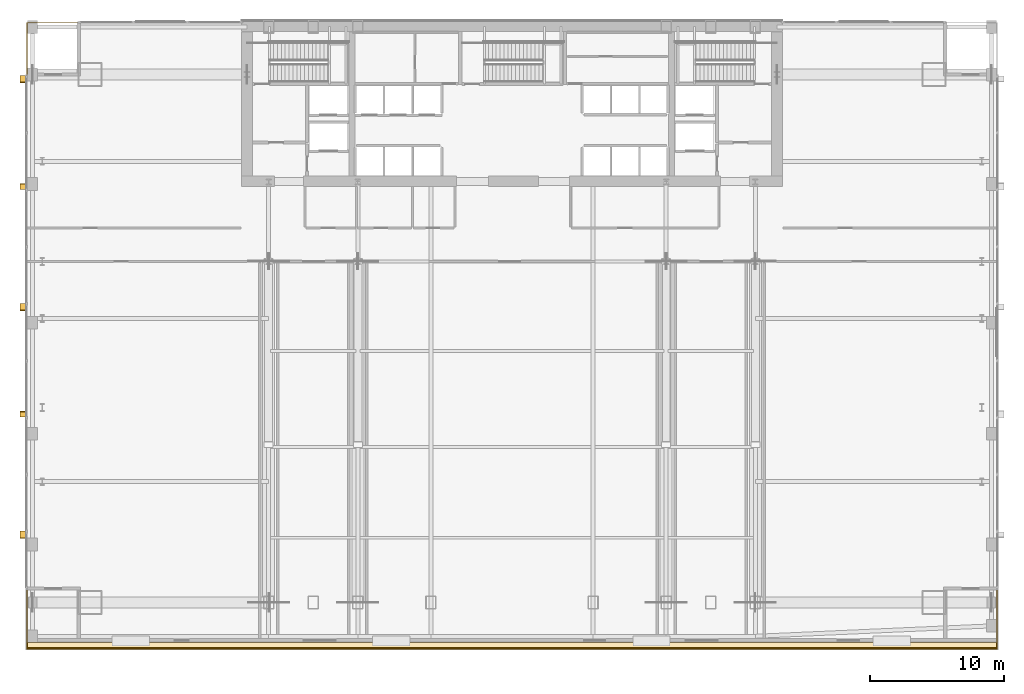
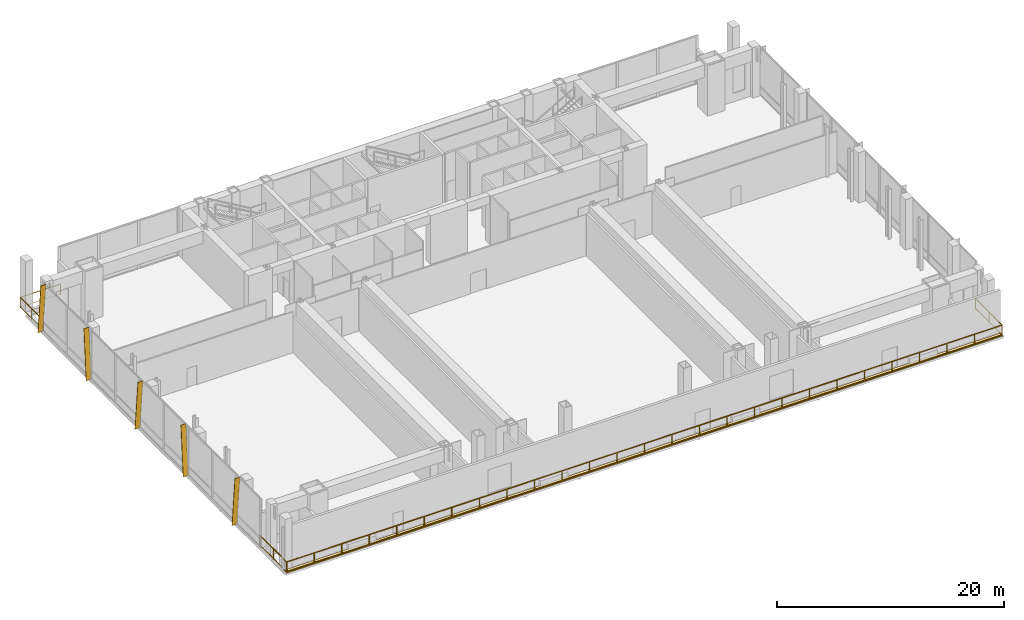
# One storey, part 24 of 26: 5 shading devices, 2 railings, 1 covering.
"""IFC4 building model written with IfcOpenShell, lengths in metres."""

from ifc_helpers import new_model, si_unit, direction, frame, origin, origin_2d, place, context, subcontext, project, spatial, polyline, rectangle, outline, extrude, material, layer, layer_set, type_object, element, save


model = new_model("IFC4")

# Units and contexts
model_context = context("Model", 3, precision=1e-05, world=origin(), true_north=direction((0.0, 1.0)))
body_context = subcontext(model_context, "Body", "Model", "MODEL_VIEW")
ifc_project = project(units=[si_unit("LENGTHUNIT", "METRE"), si_unit("AREAUNIT", "SQUARE_METRE"), si_unit("VOLUMEUNIT", "CUBIC_METRE"), si_unit("PLANEANGLEUNIT", "RADIAN"), si_unit("MASSUNIT", "GRAM", prefix="KILO")], contexts=[model_context])

# Site, building, storey
site_placement = place(None, origin())
site = spatial("IfcSite", under=ifc_project, at=site_placement, CompositionType="ELEMENT")
building_placement = place(site_placement, origin())
building = spatial("IfcBuilding", under=site, at=building_placement, Name="Khoronbel Lancet Exchange", CompositionType="ELEMENT")
storey_placement = place(building_placement, frame((0.0, 0.0, 20.39990234375)))
storey = spatial("IfcBuildingStorey", under=building, at=storey_placement, Name="L04", CompositionType="ELEMENT", Elevation=20.39990234375)

# Covering
ifc_material_1 = material(Name="Standing-Seam Bronze & SBS Waterproofing Assembly", Category="aluminium")
ifc_layer_1 = layer(ifc_material_1, 0.080078125, Name="Standing-Seam Bronze & SBS Waterproofing Assembly")
ifc_layer_set_1 = layer_set([ifc_layer_1], Name="Standing-Seam Bronze & SBS Waterproofing Assembly")
covering_type = type_object("IfcCoveringType", Name="COV-ROOF1", PredefinedType="ROOFING", material=ifc_layer_set_1)
covering_placement = place(storey_placement, frame((0.0, 0.0, -0.079833984375)))
element("IfcCovering", 1, at=covering_placement, inside=storey, type_object=covering_type, Name="Level L04 cascading terrace waterproofing and stone deck", PredefinedType="ROOFING", context=body_context, shape_type="SweptSolid", body=[
    extrude(outline(polyline([(0.10009765625, 6.64990234375), (72.800048828125, 6.64990234375), (72.800048828125, 7.14990234375), (0.10009765625, 7.14990234375), (0.10009765625, 6.64990234375)])), origin(), (0.0, 0.0, 1.0), 0.079833984375),
])

# Railings
ifc_material_2 = material(Name="Bronze-Anodised Stainless Steel", Category="steel")
railing_type = type_object("IfcRailingType", Name="RL-EXT115", PredefinedType="GUARDRAIL", material=ifc_material_2)
railing_1_placement = place(storey_placement, frame((0.1201171875, 11.39990234375, 0.0)))
element("IfcRailing", 2, at=railing_1_placement, inside=storey, type_object=railing_type, Name="Level L04 cascading garden terrace and south corner loggia guardrail", PredefinedType="GUARDRAIL", context=body_context, shape_type="SweptSolid", body=[
    extrude(rectangle(XDim=0.052001953125, YDim=0.052001953125, at=origin_2d()), frame((0.0, 0.0, 1.1240234375), z_axis=(0.0, -1.0, 0.0), x_axis=(1.0, 0.0, 0.0)), (0.0, 0.0, 1.0), 4.679931640625),
    extrude(rectangle(XDim=0.02587890625, YDim=0.02587890625, at=origin_2d()), frame((0.0, 0.0, 0.080078125), z_axis=(0.0, -1.0, 0.0), x_axis=(1.0, 0.0, 0.0)), (0.0, 0.0, 1.0), 4.679931640625),
    extrude(rectangle(XDim=0.052001953125, YDim=0.052001953125, at=origin_2d()), frame((0.0, -4.679931640625, 1.1240234375), z_axis=(1.0, 0.0, 0.0), x_axis=(0.0, 1.0, 0.0)), (0.0, 0.0, 1.0), 72.659912109375),
    extrude(rectangle(XDim=0.02587890625, YDim=0.02587890625, at=origin_2d()), frame((0.0, -4.679931640625, 0.080078125), z_axis=(1.0, 0.0, 0.0), x_axis=(0.0, 1.0, 0.0)), (0.0, 0.0, 1.0), 72.659912109375),
    extrude(rectangle(XDim=0.052001953125, YDim=0.052001953125, at=origin_2d()), frame((72.659912109375, -4.679931640625, 1.1240234375), z_axis=(0.0, 1.0, 0.0), x_axis=(-1.0, 0.0, 0.0)), (0.0, 0.0, 1.0), 4.679931640625),
    extrude(rectangle(XDim=0.02587890625, YDim=0.02587890625, at=origin_2d()), frame((72.659912109375, -4.679931640625, 0.080078125), z_axis=(0.0, 1.0, 0.0), x_axis=(-1.0, 0.0, 0.0)), (0.0, 0.0, 1.0), 4.679931640625),
    extrude(rectangle(XDim=0.0419921875, YDim=0.0419921875, at=origin_2d()), origin(), (0.0, 0.0, 1.0), 1.097900390625),
    extrude(rectangle(XDim=0.0419921875, YDim=0.0419921875, at=origin_2d()), frame((0.0, -2.33984375, 0.0)), (0.0, 0.0, 1.0), 1.097900390625),
    extrude(rectangle(XDim=0.0419921875, YDim=0.0419921875, at=origin_2d()), frame((0.0, -4.679931640625, 0.0)), (0.0, 0.0, 1.0), 1.097900390625),
    extrude(rectangle(XDim=0.0419921875, YDim=0.0419921875, at=origin_2d()), frame((2.794677734375, -4.679931640625, 0.0)), (0.0, 0.0, 1.0), 1.097900390625),
    extrude(rectangle(XDim=0.0419921875, YDim=0.0419921875, at=origin_2d()), frame((5.589111328125, -4.679931640625, 0.0)), (0.0, 0.0, 1.0), 1.097900390625),
    extrude(rectangle(XDim=0.0419921875, YDim=0.0419921875, at=origin_2d()), frame((8.3837890625, -4.679931640625, 0.0)), (0.0, 0.0, 1.0), 1.097900390625),
    extrude(rectangle(XDim=0.0419921875, YDim=0.0419921875, at=origin_2d()), frame((11.178466796875, -4.679931640625, 0.0)), (0.0, 0.0, 1.0), 1.097900390625),
    extrude(rectangle(XDim=0.0419921875, YDim=0.0419921875, at=origin_2d()), frame((13.97314453125, -4.679931640625, 0.0)), (0.0, 0.0, 1.0), 1.097900390625),
    extrude(rectangle(XDim=0.0419921875, YDim=0.0419921875, at=origin_2d()), frame((16.767578125, -4.679931640625, 0.0)), (0.0, 0.0, 1.0), 1.097900390625),
    extrude(rectangle(XDim=0.0419921875, YDim=0.0419921875, at=origin_2d()), frame((19.562255859375, -4.679931640625, 0.0)), (0.0, 0.0, 1.0), 1.097900390625),
    extrude(rectangle(XDim=0.0419921875, YDim=0.0419921875, at=origin_2d()), frame((22.35693359375, -4.679931640625, 0.0)), (0.0, 0.0, 1.0), 1.097900390625),
    extrude(rectangle(XDim=0.0419921875, YDim=0.0419921875, at=origin_2d()), frame((25.151611328125, -4.679931640625, 0.0)), (0.0, 0.0, 1.0), 1.097900390625),
    extrude(rectangle(XDim=0.0419921875, YDim=0.0419921875, at=origin_2d()), frame((27.946044921875, -4.679931640625, 0.0)), (0.0, 0.0, 1.0), 1.097900390625),
    extrude(rectangle(XDim=0.0419921875, YDim=0.0419921875, at=origin_2d()), frame((30.74072265625, -4.679931640625, 0.0)), (0.0, 0.0, 1.0), 1.097900390625),
    extrude(rectangle(XDim=0.0419921875, YDim=0.0419921875, at=origin_2d()), frame((33.535400390625, -4.679931640625, 0.0)), (0.0, 0.0, 1.0), 1.097900390625),
    extrude(rectangle(XDim=0.0419921875, YDim=0.0419921875, at=origin_2d()), frame((36.330078125, -4.679931640625, 0.0)), (0.0, 0.0, 1.0), 1.097900390625),
    extrude(rectangle(XDim=0.0419921875, YDim=0.0419921875, at=origin_2d()), frame((39.12451171875, -4.679931640625, 0.0)), (0.0, 0.0, 1.0), 1.097900390625),
    extrude(rectangle(XDim=0.0419921875, YDim=0.0419921875, at=origin_2d()), frame((41.919189453125, -4.679931640625, 0.0)), (0.0, 0.0, 1.0), 1.097900390625),
    extrude(rectangle(XDim=0.0419921875, YDim=0.0419921875, at=origin_2d()), frame((44.7138671875, -4.679931640625, 0.0)), (0.0, 0.0, 1.0), 1.097900390625),
    extrude(rectangle(XDim=0.0419921875, YDim=0.0419921875, at=origin_2d()), frame((47.50830078125, -4.679931640625, 0.0)), (0.0, 0.0, 1.0), 1.097900390625),
    extrude(rectangle(XDim=0.0419921875, YDim=0.0419921875, at=origin_2d()), frame((50.302978515625, -4.679931640625, 0.0)), (0.0, 0.0, 1.0), 1.097900390625),
    extrude(rectangle(XDim=0.0419921875, YDim=0.0419921875, at=origin_2d()), frame((53.09765625, -4.679931640625, 0.0)), (0.0, 0.0, 1.0), 1.097900390625),
    extrude(rectangle(XDim=0.0419921875, YDim=0.0419921875, at=origin_2d()), frame((55.892333984375, -4.679931640625, 0.0)), (0.0, 0.0, 1.0), 1.097900390625),
    extrude(rectangle(XDim=0.0419921875, YDim=0.0419921875, at=origin_2d()), frame((58.686767578125, -4.679931640625, 0.0)), (0.0, 0.0, 1.0), 1.097900390625),
    extrude(rectangle(XDim=0.0419921875, YDim=0.0419921875, at=origin_2d()), frame((61.4814453125, -4.679931640625, 0.0)), (0.0, 0.0, 1.0), 1.097900390625),
    extrude(rectangle(XDim=0.0419921875, YDim=0.0419921875, at=origin_2d()), frame((64.276123046875, -4.679931640625, 0.0)), (0.0, 0.0, 1.0), 1.097900390625),
    extrude(rectangle(XDim=0.0419921875, YDim=0.0419921875, at=origin_2d()), frame((67.07080078125, -4.679931640625, 0.0)), (0.0, 0.0, 1.0), 1.097900390625),
    extrude(rectangle(XDim=0.0419921875, YDim=0.0419921875, at=origin_2d()), frame((69.865234375, -4.679931640625, 0.0)), (0.0, 0.0, 1.0), 1.097900390625),
    extrude(rectangle(XDim=0.0419921875, YDim=0.0419921875, at=origin_2d()), frame((72.659912109375, -4.679931640625, 0.0)), (0.0, 0.0, 1.0), 1.097900390625),
    extrude(rectangle(XDim=0.0419921875, YDim=0.0419921875, at=origin_2d()), frame((72.659912109375, -2.33984375, 0.0)), (0.0, 0.0, 1.0), 1.097900390625),
    extrude(rectangle(XDim=0.0419921875, YDim=0.0419921875, at=origin_2d()), frame((72.659912109375, 0.0, 0.0)), (0.0, 0.0, 1.0), 1.097900390625),
])
railing_2_placement = place(storey_placement, frame((0.1201171875, 49.5, 0.0)))
element("IfcRailing", 3, at=railing_2_placement, inside=storey, type_object=railing_type, Name="Level L04 north-west colonnade corner loggia guardrail", PredefinedType="GUARDRAIL", context=body_context, shape_type="SweptSolid", body=[
    extrude(rectangle(XDim=0.052001953125, YDim=0.052001953125, at=origin_2d()), frame((0.0, 0.0, 1.1240234375), z_axis=(0.0, 1.0, 0.0), x_axis=(-1.0, 0.0, 0.0)), (0.0, 0.0, 1.0), 4.080078125),
    extrude(rectangle(XDim=0.02587890625, YDim=0.02587890625, at=origin_2d()), frame((0.0, 0.0, 0.080078125), z_axis=(0.0, 1.0, 0.0), x_axis=(-1.0, 0.0, 0.0)), (0.0, 0.0, 1.0), 4.080078125),
    extrude(rectangle(XDim=0.052001953125, YDim=0.052001953125, at=origin_2d()), frame((0.0, 4.080078125, 1.1240234375), z_axis=(1.0, 0.0, 0.0), x_axis=(0.0, 1.0, 0.0)), (0.0, 0.0, 1.0), 4.079833984375),
    extrude(rectangle(XDim=0.02587890625, YDim=0.02587890625, at=origin_2d()), frame((0.0, 4.080078125, 0.080078125), z_axis=(1.0, 0.0, 0.0), x_axis=(0.0, 1.0, 0.0)), (0.0, 0.0, 1.0), 4.079833984375),
    extrude(rectangle(XDim=0.0419921875, YDim=0.0419921875, at=origin_2d()), origin(), (0.0, 0.0, 1.0), 1.097900390625),
    extrude(rectangle(XDim=0.0419921875, YDim=0.0419921875, at=origin_2d()), frame((0.0, 2.0400390625, 0.0)), (0.0, 0.0, 1.0), 1.097900390625),
    extrude(rectangle(XDim=0.0419921875, YDim=0.0419921875, at=origin_2d()), frame((0.0, 4.080078125, 0.0)), (0.0, 0.0, 1.0), 1.097900390625),
    extrude(rectangle(XDim=0.0419921875, YDim=0.0419921875, at=origin_2d()), frame((2.0400390625, 4.080078125, 0.0)), (0.0, 0.0, 1.0), 1.097900390625),
    extrude(rectangle(XDim=0.0419921875, YDim=0.0419921875, at=origin_2d()), frame((4.079833984375, 4.080078125, 0.0)), (0.0, 0.0, 1.0), 1.097900390625),
])

# Shading devices
ifc_material_3 = material(Name="Bronze-Anodised Aluminium 6063-T6", Category="aluminium")
ifc_layer_2 = layer(ifc_material_3, 0.054931640625, Name="Bronze-Anodised Aluminium 6063-T6")
ifc_layer_set_2 = layer_set([ifc_layer_2], Name="Bronze-Anodised Aluminium 6063-T6")
shading_device_type = type_object("IfcShadingDeviceType", Name="SHD-FIN1", PredefinedType="USERDEFINED", material=ifc_layer_set_2)
shading_device_1_placement = place(storey_placement, frame((0.1201171875, 49.62744140625, -0.079833984375), z_axis=(0.0, 0.995559886336, 0.094130296495), x_axis=(-1.0, 0.0, 0.0)))
element("IfcShadingDevice", 4, at=shading_device_1_placement, inside=storey, type_object=shading_device_type, Name="Slanted bronze solar fin CW-L04-WEST-0", ObjectType="FIN", PredefinedType="USERDEFINED", context=body_context, shape_type="SweptSolid", body=[
    extrude(outline(polyline([(0.0, 0.0), (0.52001953125, 0.0), (0.52001953125, 5.36376953125), (0.0, 5.36376953125), (0.0, 0.0)])), origin(), (0.0, 0.0, -1.0), 0.054931640625),
])
shading_device_2_placement = place(storey_placement, frame((0.1201171875, 41.09423828125, -0.079833984375), z_axis=(0.0, -0.997274965432, 0.073774272772), x_axis=(-1.0, 0.0, 0.0)))
element("IfcShadingDevice", 5, at=shading_device_2_placement, inside=storey, type_object=shading_device_type, Name="Slanted bronze solar fin CW-L04-WEST-2", ObjectType="FIN", PredefinedType="USERDEFINED", context=body_context, shape_type="SweptSolid", body=[
    extrude(outline(polyline([(0.0, 0.0), (0.52001953125, 0.0), (0.52001953125, -5.3544921875), (0.0, -5.3544921875), (0.0, 0.0)])), origin(), (0.0, 0.0, -1.0), 0.054931640625),
])
shading_device_3_placement = place(storey_placement, frame((0.1201171875, 32.560791015625, -0.079833984375), z_axis=(0.0, 0.995559886336, 0.094130296495), x_axis=(-1.0, 0.0, 0.0)))
element("IfcShadingDevice", 6, at=shading_device_3_placement, inside=storey, type_object=shading_device_type, Name="Slanted bronze solar fin CW-L04-WEST-4", ObjectType="FIN", PredefinedType="USERDEFINED", context=body_context, shape_type="SweptSolid", body=[
    extrude(outline(polyline([(0.0, 0.0), (0.52001953125, 0.0), (0.52001953125, 5.36376953125), (0.0, 5.36376953125), (0.0, 0.0)])), origin(), (0.0, 0.0, -1.0), 0.054931640625),
])
shading_device_4_placement = place(storey_placement, frame((0.1201171875, 24.027587890625, -0.079833984375), z_axis=(0.0, -0.997274965432, 0.073774272772), x_axis=(-1.0, 0.0, 0.0)))
element("IfcShadingDevice", 7, at=shading_device_4_placement, inside=storey, type_object=shading_device_type, Name="Slanted bronze solar fin CW-L04-WEST-6", ObjectType="FIN", PredefinedType="USERDEFINED", context=body_context, shape_type="SweptSolid", body=[
    extrude(outline(polyline([(0.0, 0.0), (0.52001953125, 0.0), (0.52001953125, -5.3544921875), (0.0, -5.3544921875), (0.0, 0.0)])), origin(), (0.0, 0.0, -1.0), 0.054931640625),
])
shading_device_5_placement = place(storey_placement, frame((0.1201171875, 15.494140625, -0.079833984375), z_axis=(0.0, 0.995559886336, 0.094130296495), x_axis=(-1.0, 0.0, 0.0)))
element("IfcShadingDevice", 8, at=shading_device_5_placement, inside=storey, type_object=shading_device_type, Name="Slanted bronze solar fin CW-L04-WEST-8", ObjectType="FIN", PredefinedType="USERDEFINED", context=body_context, shape_type="SweptSolid", body=[
    extrude(outline(polyline([(0.0, 0.0), (0.52001953125, 0.0), (0.52001953125, 5.36376953125), (0.0, 5.36376953125), (0.0, 0.0)])), origin(), (0.0, 0.0, -1.0), 0.054931640625),
])

save(model, "model.ifc")
